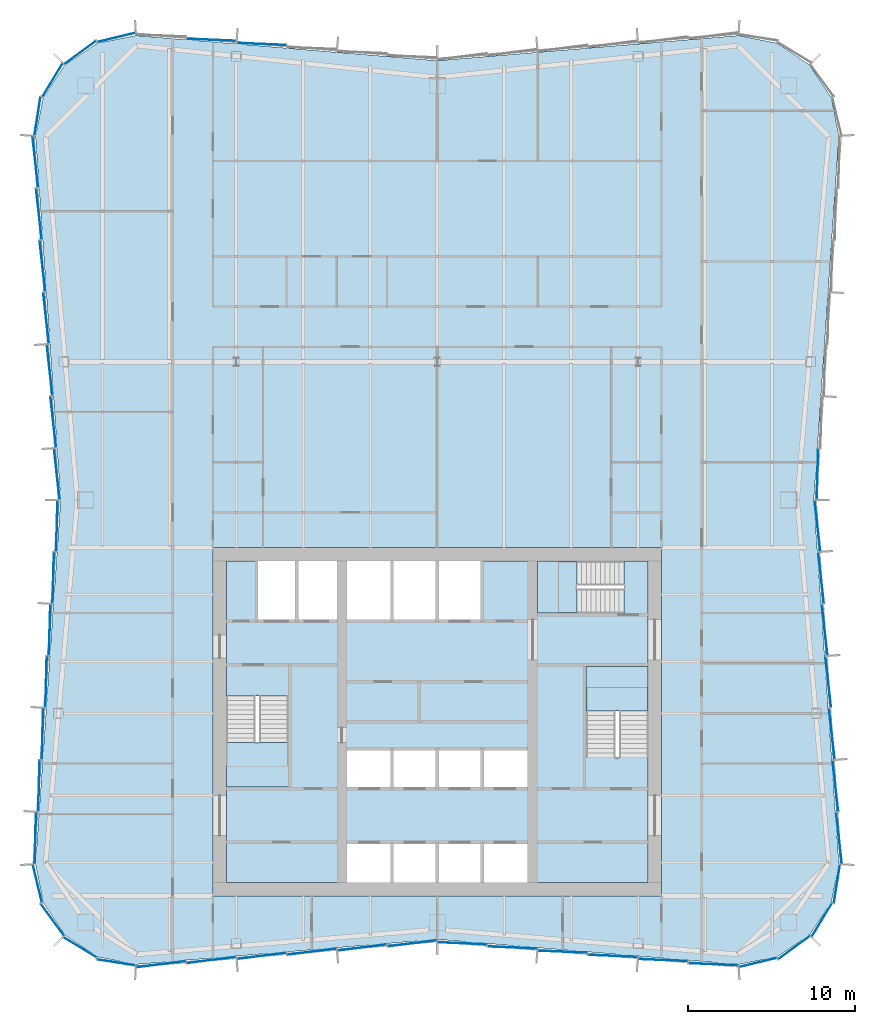
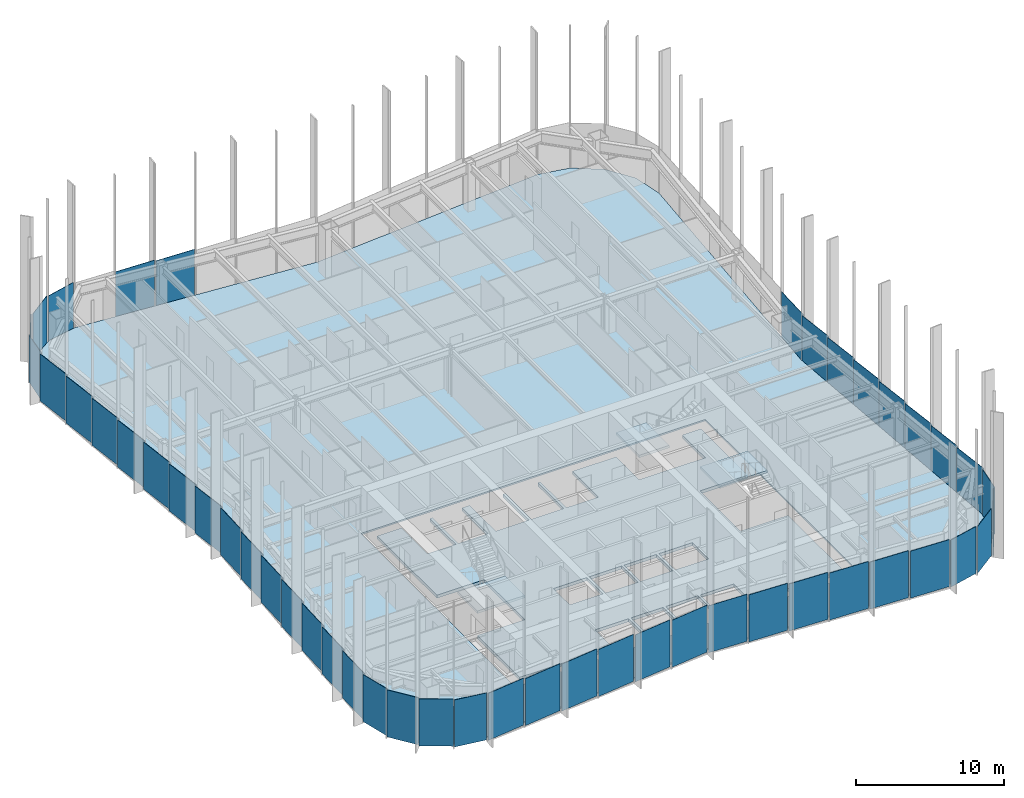
# One storey, part 9 of 15: 48 plates, 5 slabs, 10 elements without a shape of their own.
"""IFC4 building model written with IfcOpenShell, lengths in metres."""

from ifc_helpers import new_model, si_unit, direction, frame, origin, origin_2d, place, context, subcontext, project, spatial, polyline, rectangle, outline, extrude, material, layer, layer_set, type_object, element, aggregate, save


model = new_model("IFC4")

# Units and contexts
model_context = context("Model", 3, precision=1e-05, world=origin(), true_north=direction((0.0, 1.0)))
body_context = subcontext(model_context, "Body", "Model", "MODEL_VIEW")
ifc_project = project(units=[si_unit("LENGTHUNIT", "METRE"), si_unit("AREAUNIT", "SQUARE_METRE"), si_unit("VOLUMEUNIT", "CUBIC_METRE"), si_unit("PLANEANGLEUNIT", "RADIAN"), si_unit("MASSUNIT", "GRAM", prefix="KILO")], contexts=[model_context])

# Site, building, storey
site_placement = place(None, origin())
site = spatial("IfcSite", under=ifc_project, at=site_placement, CompositionType="ELEMENT")
building_placement = place(site_placement, origin())
building = spatial("IfcBuilding", under=site, at=building_placement, Name="Verdant Reach Tower", CompositionType="ELEMENT")
storey_placement = place(building_placement, frame((0.0, 0.0, 238.0)))
storey = spatial("IfcBuildingStorey", under=building, at=storey_placement, Name="L54", CompositionType="ELEMENT", Elevation=238.0)

# Stair, slab
ifc_material_1 = material(Name="Concrete C40/50", Category="concrete")
stair_type = type_object("IfcStairType", Name="CO-STAIR", PredefinedType="HALF_TURN_STAIR", material=ifc_material_1)
stair_1_placement = place(storey_placement, origin())
stair_1 = element("IfcStair", 1, at=stair_1_placement, inside=storey, type_object=stair_type, Name="L54 Exit stair 1", PredefinedType="HALF_TURN_STAIR")
ifc_layer_1 = layer(ifc_material_1, 0.199951171875)
ifc_layer_set_1 = layer_set([ifc_layer_1], Name="CO-STAIR-LANDING")
slab_type_1 = type_object("IfcSlabType", Name="CO-STAIR-LANDING", PredefinedType="LANDING", material=ifc_layer_set_1)
slab_1_placement = place(storey_placement, frame((0.0, 0.0, 1.800048828125)))
slab_1 = element("IfcSlab", 2, at=slab_1_placement, type_object=slab_type_1, Name="ST-1 landing 1", PredefinedType="LANDING", context=body_context, shape_type="SweptSolid", body=[
    extrude(outline(polyline([(-12.60009765625, 26.75), (-12.60009765625, 24.10009765625), (-8.89990234375, 24.10009765625), (-8.89990234375, 26.75), (-12.60009765625, 26.75)])), origin(), (0.0, 0.0, 1.0), 0.199951171875),
])
aggregate(stair_1, [slab_1])

stair_2_placement = place(storey_placement, origin())
stair_2 = element("IfcStair", 3, at=stair_2_placement, inside=storey, type_object=stair_type, Name="L54 Exit stair 2", PredefinedType="HALF_TURN_STAIR")
slab_2_placement = place(storey_placement, frame((0.0, 0.0, 1.800048828125)))
slab_2 = element("IfcSlab", 4, at=slab_2_placement, type_object=slab_type_1, Name="ST-2 landing 1", PredefinedType="LANDING", context=body_context, shape_type="SweptSolid", body=[
    extrude(outline(polyline([(12.60009765625, 28.64990234375), (12.60009765625, 31.300048828125), (8.89990234375, 31.300048828125), (8.89990234375, 28.64990234375), (12.60009765625, 28.64990234375)])), origin(), (0.0, 0.0, 1.0), 0.199951171875),
])
aggregate(stair_2, [slab_2])

stair_3_placement = place(storey_placement, origin())
stair_3 = element("IfcStair", 5, at=stair_3_placement, inside=storey, type_object=stair_type, Name="L54 Exit stair 3", PredefinedType="HALF_TURN_STAIR")
slab_3_placement = place(storey_placement, frame((0.0, 0.0, 1.800048828125)))
slab_3 = element("IfcSlab", 6, at=slab_3_placement, type_object=slab_type_1, Name="ST-3 landing 1", PredefinedType="LANDING", context=body_context, shape_type="SweptSolid", body=[
    extrude(outline(polyline([(8.35009765625, 37.60009765625), (6.0, 37.60009765625), (6.0, 34.5), (8.35009765625, 34.5), (8.35009765625, 37.60009765625)])), origin(), (0.0, 0.0, 1.0), 0.199951171875),
])
aggregate(stair_3, [slab_3])

# Curtain wall, plates
ifc_material_2 = material(Name="Anodised aluminium", Category="aluminium")
curtain_wall_type = type_object("IfcCurtainWallType", Name="EN-CW SYSTEM Z4", PredefinedType="NOTDEFINED", material=ifc_material_2)
curtain_wall_1_placement = place(storey_placement, origin())
curtain_wall_1 = element("IfcCurtainWall", 7, at=curtain_wall_1_placement, inside=storey, type_object=curtain_wall_type, Name="Curtain wall east, L54", PredefinedType="NOTDEFINED")
ifc_material_3 = material(Name="Tinted glass with champagne spandrel", Category="glass")
ifc_layer_2 = layer(ifc_material_3, 0.031982421875)
ifc_layer_set_2 = layer_set([ifc_layer_2], Name="EN-PANEL CHAMPAGNE")
plate_type_1 = type_object("IfcPlateType", Name="EN-PANEL CHAMPAGNE", PredefinedType="CURTAIN_PANEL", material=ifc_layer_set_2)
plate_1_placement = place(storey_placement, frame((23.36181640625, 30.3828125, -0.221923828125), z_axis=(0.0, 0.0, 1.0), x_axis=(-0.110518162674, 0.993874104562, 0.0)))
plate_1 = element("IfcPlate", 8, at=plate_1_placement, type_object=plate_type_1, Name="Glass panel east face part 1 4.1, L54", PredefinedType="CURTAIN_PANEL", context=body_context, shape_type="SweptSolid", body=[
    extrude(rectangle(XDim=3.050537109375, YDim=0.031982421875, at=origin_2d()), origin(), (0.0, 0.0, 1.0), 3.8720703125),
])
plate_2_placement = place(storey_placement, frame((23.1474609375, 33.48974609375, -0.221923828125), z_axis=(0.0, 0.0, 1.0), x_axis=(-0.110518162674, 0.993874104562, 0.0)))
plate_2 = element("IfcPlate", 9, at=plate_2_placement, type_object=plate_type_1, Name="Glass panel east face part 1 5.1, L54", PredefinedType="CURTAIN_PANEL", context=body_context, shape_type="SweptSolid", body=[
    extrude(rectangle(XDim=3.050537109375, YDim=0.031982421875, at=origin_2d()), origin(), (0.0, 0.0, 1.0), 3.8720703125),
])

curtain_wall_2_placement = place(storey_placement, origin())
curtain_wall_2 = element("IfcCurtainWall", 10, at=curtain_wall_2_placement, inside=storey, type_object=curtain_wall_type, Name="Curtain wall north, L54", PredefinedType="NOTDEFINED")
plate_3_placement = place(storey_placement, frame((-10.49072265625, 68.486572265625, -0.221923828125), z_axis=(0.0, 0.0, 1.0), x_axis=(-0.999149202059, 0.041241629766, 0.0)))
plate_3 = element("IfcPlate", 11, at=plate_3_placement, type_object=plate_type_1, Name="Glass panel north face part 2 4.1, L54", PredefinedType="CURTAIN_PANEL", context=body_context, shape_type="SweptSolid", body=[
    extrude(rectangle(XDim=2.9462890625, YDim=0.031982421875, at=origin_2d()), origin(), (0.0, 0.0, 1.0), 3.8720703125),
])
plate_4_placement = place(storey_placement, frame((-13.49072265625, 68.736572265625, -0.221923828125), z_axis=(0.0, 0.0, 1.0), x_axis=(-0.999149202059, 0.041241629766, 0.0)))
plate_4 = element("IfcPlate", 12, at=plate_4_placement, type_object=plate_type_1, Name="Glass panel north face part 2 5.1, L54", PredefinedType="CURTAIN_PANEL", context=body_context, shape_type="SweptSolid", body=[
    extrude(rectangle(XDim=2.9462890625, YDim=0.031982421875, at=origin_2d()), origin(), (0.0, 0.0, 1.0), 3.8720703125),
])
aggregate(curtain_wall_2, [plate_3, plate_4])

curtain_wall_3_placement = place(storey_placement, origin())
curtain_wall_3 = element("IfcCurtainWall", 13, at=curtain_wall_3_placement, inside=storey, type_object=curtain_wall_type, Name="Curtain wall north-west corner, L54", PredefinedType="NOTDEFINED")
plate_5_placement = place(storey_placement, frame((-21.330322265625, 67.984375, -0.221923828125), z_axis=(0.0, 0.0, 1.0), x_axis=(-0.80745677573, -0.589926737254, 0.0)))
plate_5 = element("IfcPlate", 14, at=plate_5_placement, type_object=plate_type_1, Name="Glass panel north-west corner 2.1, L54", PredefinedType="CURTAIN_PANEL", context=body_context, shape_type="SweptSolid", body=[
    extrude(rectangle(XDim=2.32080078125, YDim=0.031982421875, at=origin_2d()), origin(), (0.0, 0.0, 1.0), 3.8720703125),
])
plate_6_placement = place(storey_placement, frame((-22.984375, 66.330322265625, -0.221923828125), z_axis=(0.0, 0.0, 1.0), x_axis=(-0.520291539577, -0.853988708265, 0.0)))
plate_6 = element("IfcPlate", 15, at=plate_6_placement, type_object=plate_type_1, Name="Glass panel north-west corner 3.1, L54", PredefinedType="CURTAIN_PANEL", context=body_context, shape_type="SweptSolid", body=[
    extrude(rectangle(XDim=2.32080078125, YDim=0.031982421875, at=origin_2d()), origin(), (0.0, 0.0, 1.0), 3.8720703125),
])

curtain_wall_4_placement = place(storey_placement, origin())
curtain_wall_4 = element("IfcCurtainWall", 16, at=curtain_wall_4_placement, inside=storey, type_object=curtain_wall_type, Name="Curtain wall west, L54", PredefinedType="NOTDEFINED")
plate_7_placement = place(storey_placement, frame((-24.004638671875, 61.446044921875, -0.221923828125), z_axis=(0.0, 0.0, 1.0), x_axis=(0.110205903836, -0.993908777886, 0.0)))
plate_7 = element("IfcPlate", 17, at=plate_7_placement, type_object=plate_type_1, Name="Glass panel west face part 1 1.1, L54", PredefinedType="CURTAIN_PANEL", context=body_context, shape_type="SweptSolid", body=[
    extrude(rectangle(XDim=3.0654296875, YDim=0.031982421875, at=origin_2d()), origin(), (0.0, 0.0, 1.0), 3.8720703125),
])
plate_8_placement = place(storey_placement, frame((-23.790283203125, 58.33154296875, -0.221923828125), z_axis=(0.0, 0.0, 1.0), x_axis=(0.110518162674, -0.993874104562, 0.0)))
plate_8 = element("IfcPlate", 18, at=plate_8_placement, type_object=plate_type_1, Name="Glass panel west face part 1 2.1, L54", PredefinedType="CURTAIN_PANEL", context=body_context, shape_type="SweptSolid", body=[
    extrude(rectangle(XDim=3.050537109375, YDim=0.031982421875, at=origin_2d()), origin(), (0.0, 0.0, 1.0), 3.8720703125),
])
plate_9_placement = place(storey_placement, frame((-22.93310546875, 36.596923828125, -0.221923828125), z_axis=(0.0, 0.0, 1.0), x_axis=(-0.026965318308, -0.999636369691, 0.0)))
plate_9 = element("IfcPlate", 19, at=plate_9_placement, type_object=plate_type_1, Name="Glass panel west face part 2 2.1, L54", PredefinedType="CURTAIN_PANEL", context=body_context, shape_type="SweptSolid", body=[
    extrude(rectangle(XDim=3.050537109375, YDim=0.031982421875, at=origin_2d()), origin(), (0.0, 0.0, 1.0), 3.8720703125),
])
plate_10_placement = place(storey_placement, frame((-23.1474609375, 33.48974609375, -0.221923828125), z_axis=(0.0, 0.0, 1.0), x_axis=(-0.026965318308, -0.999636369691, 0.0)))
plate_10 = element("IfcPlate", 20, at=plate_10_placement, type_object=plate_type_1, Name="Glass panel west face part 2 3.1, L54", PredefinedType="CURTAIN_PANEL", context=body_context, shape_type="SweptSolid", body=[
    extrude(rectangle(XDim=3.050537109375, YDim=0.031982421875, at=origin_2d()), origin(), (0.0, 0.0, 1.0), 3.8720703125),
])

curtain_wall_5_placement = place(storey_placement, origin())
curtain_wall_5 = element("IfcCurtainWall", 21, at=curtain_wall_5_placement, inside=storey, type_object=curtain_wall_type, Name="Curtain wall south-west corner, L54", PredefinedType="NOTDEFINED")
plate_11_placement = place(storey_placement, frame((-23.87939453125, 18.326904296875, -0.221923828125), z_axis=(0.0, 0.0, 1.0), x_axis=(0.236458850433, -0.971641503875, 0.0)))
plate_11 = element("IfcPlate", 22, at=plate_11_placement, type_object=plate_type_1, Name="Glass panel south-west corner 1.1, L54", PredefinedType="CURTAIN_PANEL", context=body_context, shape_type="SweptSolid", body=[
    extrude(rectangle(XDim=2.313720703125, YDim=0.031982421875, at=origin_2d()), origin(), (0.0, 0.0, 1.0), 3.8720703125),
])
plate_12_placement = place(storey_placement, frame((-22.984375, 16.169677734375, -0.221923828125), z_axis=(0.0, 0.0, 1.0), x_axis=(0.589926737254, -0.80745677573, 0.0)))
plate_12 = element("IfcPlate", 23, at=plate_12_placement, type_object=plate_type_1, Name="Glass panel south-west corner 2.1, L54", PredefinedType="CURTAIN_PANEL", context=body_context, shape_type="SweptSolid", body=[
    extrude(rectangle(XDim=2.32080078125, YDim=0.031982421875, at=origin_2d()), origin(), (0.0, 0.0, 1.0), 3.8720703125),
])

curtain_wall_6_placement = place(storey_placement, origin())
curtain_wall_6 = element("IfcCurtainWall", 24, at=curtain_wall_6_placement, inside=storey, type_object=curtain_wall_type, Name="Curtain wall south, L54", PredefinedType="NOTDEFINED")
plate_13_placement = place(storey_placement, frame((-4.49072265625, 14.513427734375, -0.221923828125), z_axis=(0.0, 0.0, 1.0), x_axis=(0.992194034542, 0.124703639961, 0.0)))
plate_13 = element("IfcPlate", 25, at=plate_13_placement, type_object=plate_type_1, Name="Glass panel south face part 1 5.1, L54", PredefinedType="CURTAIN_PANEL", context=body_context, shape_type="SweptSolid", body=[
    extrude(rectangle(XDim=2.9462890625, YDim=0.031982421875, at=origin_2d()), origin(), (0.0, 0.0, 1.0), 3.8720703125),
])
plate_14_placement = place(storey_placement, frame((-1.495361328125, 14.76318359375, -0.221923828125), z_axis=(0.0, 0.0, 1.0), x_axis=(0.992177950603, 0.124831543836, 0.0)))
plate_14 = element("IfcPlate", 26, at=plate_14_placement, type_object=plate_type_1, Name="Glass panel south face part 1 6.1, L54", PredefinedType="CURTAIN_PANEL", context=body_context, shape_type="SweptSolid", body=[
    extrude(rectangle(XDim=2.93701171875, YDim=0.031982421875, at=origin_2d()), origin(), (0.0, 0.0, 1.0), 3.8720703125),
])
plate_15_placement = place(storey_placement, frame((1.495361328125, 14.76318359375, -0.221923828125), z_axis=(0.0, 0.0, 1.0), x_axis=(0.999143877249, -0.041370430933, 0.0)))
plate_15 = element("IfcPlate", 27, at=plate_15_placement, type_object=plate_type_1, Name="Glass panel south face part 2 1.1, L54", PredefinedType="CURTAIN_PANEL", context=body_context, shape_type="SweptSolid", body=[
    extrude(rectangle(XDim=2.93701171875, YDim=0.031982421875, at=origin_2d()), origin(), (0.0, 0.0, 1.0), 3.8720703125),
])

curtain_wall_7_placement = place(storey_placement, origin())
curtain_wall_7 = element("IfcCurtainWall", 28, at=curtain_wall_7_placement, inside=storey, type_object=curtain_wall_type, Name="Curtain wall south-east corner, L54", PredefinedType="NOTDEFINED")
ifc_material_4 = material(Name="Tinted glass with copper spandrel", Category="glass")
ifc_layer_3 = layer(ifc_material_4, 0.031982421875)
ifc_layer_set_3 = layer_set([ifc_layer_3], Name="EN-PANEL COPPER")
plate_type_2 = type_object("IfcPlateType", Name="EN-PANEL COPPER", PredefinedType="CURTAIN_PANEL", material=ifc_layer_set_3)
plate_16_placement = place(storey_placement, frame((19.172607421875, 13.62060546875, -0.221923828125), z_axis=(0.0, 0.0, 1.0), x_axis=(0.971652337104, 0.236414330786, 0.0)))
plate_16 = element("IfcPlate", 29, at=plate_16_placement, type_object=plate_type_2, Name="Glass panel south-east corner 1.1, L54", PredefinedType="CURTAIN_PANEL", context=body_context, shape_type="SweptSolid", body=[
    extrude(rectangle(XDim=2.314453125, YDim=0.031982421875, at=origin_2d()), origin(), (0.0, 0.0, 1.0), 3.8720703125),
])
plate_17_placement = place(storey_placement, frame((21.330322265625, 14.515625, -0.221923828125), z_axis=(0.0, 0.0, 1.0), x_axis=(0.80745677573, 0.589926737254, 0.0)))
plate_17 = element("IfcPlate", 30, at=plate_17_placement, type_object=plate_type_2, Name="Glass panel south-east corner 2.1, L54", PredefinedType="CURTAIN_PANEL", context=body_context, shape_type="SweptSolid", body=[
    extrude(rectangle(XDim=2.32080078125, YDim=0.031982421875, at=origin_2d()), origin(), (0.0, 0.0, 1.0), 3.8720703125),
])

# Plate
plate_18_placement = place(storey_placement, frame((22.93310546875, 36.596923828125, -0.221923828125), z_axis=(0.0, 0.0, 1.0), x_axis=(-0.110518162674, 0.993874104562, 0.0)))
plate_18 = element("IfcPlate", 31, at=plate_18_placement, type_object=plate_type_2, Name="Glass panel east face part 1 6.1, L54", PredefinedType="CURTAIN_PANEL", context=body_context, shape_type="SweptSolid", body=[
    extrude(rectangle(XDim=3.050537109375, YDim=0.031982421875, at=origin_2d()), origin(), (0.0, 0.0, 1.0), 3.8720703125),
])

plate_19_placement = place(storey_placement, frame((22.718994140625, 39.7001953125, -0.221923828125), z_axis=(0.0, 0.0, 1.0), x_axis=(-0.110603065042, 0.993864659802, 0.0)))
plate_19 = element("IfcPlate", 32, at=plate_19_placement, type_object=plate_type_2, Name="Glass panel east face part 1 7.1, L54", PredefinedType="CURTAIN_PANEL", context=body_context, shape_type="SweptSolid", body=[
    extrude(rectangle(XDim=3.042724609375, YDim=0.031982421875, at=origin_2d()), origin(), (0.0, 0.0, 1.0), 3.8720703125),
])

plate_20_placement = place(storey_placement, frame((22.718994140625, 42.7998046875, -0.221923828125), z_axis=(0.0, 0.0, 1.0), x_axis=(0.027050713229, 0.999634062502, 0.0)))
plate_20 = element("IfcPlate", 33, at=plate_20_placement, type_object=plate_type_2, Name="Glass panel east face part 2 1.1, L54", PredefinedType="CURTAIN_PANEL", context=body_context, shape_type="SweptSolid", body=[
    extrude(rectangle(XDim=3.042724609375, YDim=0.031982421875, at=origin_2d()), origin(), (0.0, 0.0, 1.0), 3.8720703125),
])

plate_21_placement = place(storey_placement, frame((-23.87939453125, 64.173095703125, -0.221923828125), z_axis=(0.0, 0.0, 1.0), x_axis=(-0.154324690427, -0.988020187003, 0.0)))
plate_21 = element("IfcPlate", 34, at=plate_21_placement, type_object=plate_type_2, Name="Glass panel north-west corner 4.1, L54", PredefinedType="CURTAIN_PANEL", context=body_context, shape_type="SweptSolid", body=[
    extrude(rectangle(XDim=2.313720703125, YDim=0.031982421875, at=origin_2d()), origin(), (0.0, 0.0, 1.0), 3.8720703125),
])

plate_22_placement = place(storey_placement, frame((-23.575927734375, 55.224365234375, -0.221923828125), z_axis=(0.0, 0.0, 1.0), x_axis=(0.110518162674, -0.993874104562, 0.0)))
plate_22 = element("IfcPlate", 35, at=plate_22_placement, type_object=plate_type_2, Name="Glass panel west face part 1 3.1, L54", PredefinedType="CURTAIN_PANEL", context=body_context, shape_type="SweptSolid", body=[
    extrude(rectangle(XDim=3.050537109375, YDim=0.031982421875, at=origin_2d()), origin(), (0.0, 0.0, 1.0), 3.8720703125),
])

plate_23_placement = place(storey_placement, frame((-23.36181640625, 52.1171875, -0.221923828125), z_axis=(0.0, 0.0, 1.0), x_axis=(0.110518162674, -0.993874104562, 0.0)))
plate_23 = element("IfcPlate", 36, at=plate_23_placement, type_object=plate_type_2, Name="Glass panel west face part 1 4.1, L54", PredefinedType="CURTAIN_PANEL", context=body_context, shape_type="SweptSolid", body=[
    extrude(rectangle(XDim=3.050537109375, YDim=0.031982421875, at=origin_2d()), origin(), (0.0, 0.0, 1.0), 3.8720703125),
])

plate_24_placement = place(storey_placement, frame((-23.36181640625, 30.3828125, -0.221923828125), z_axis=(0.0, 0.0, 1.0), x_axis=(-0.026965318308, -0.999636369691, 0.0)))
plate_24 = element("IfcPlate", 37, at=plate_24_placement, type_object=plate_type_2, Name="Glass panel west face part 2 4.1, L54", PredefinedType="CURTAIN_PANEL", context=body_context, shape_type="SweptSolid", body=[
    extrude(rectangle(XDim=3.050537109375, YDim=0.031982421875, at=origin_2d()), origin(), (0.0, 0.0, 1.0), 3.8720703125),
])

plate_25_placement = place(storey_placement, frame((-23.575927734375, 27.275634765625, -0.221923828125), z_axis=(0.0, 0.0, 1.0), x_axis=(-0.026965318308, -0.999636369691, 0.0)))
plate_25 = element("IfcPlate", 38, at=plate_25_placement, type_object=plate_type_2, Name="Glass panel west face part 2 5.1, L54", PredefinedType="CURTAIN_PANEL", context=body_context, shape_type="SweptSolid", body=[
    extrude(rectangle(XDim=3.050537109375, YDim=0.031982421875, at=origin_2d()), origin(), (0.0, 0.0, 1.0), 3.8720703125),
])

plate_26_placement = place(storey_placement, frame((-23.790283203125, 24.16845703125, -0.221923828125), z_axis=(0.0, 0.0, 1.0), x_axis=(-0.026965318308, -0.999636369691, 0.0)))
plate_26 = element("IfcPlate", 39, at=plate_26_placement, type_object=plate_type_2, Name="Glass panel west face part 2 6.1, L54", PredefinedType="CURTAIN_PANEL", context=body_context, shape_type="SweptSolid", body=[
    extrude(rectangle(XDim=3.050537109375, YDim=0.031982421875, at=origin_2d()), origin(), (0.0, 0.0, 1.0), 3.8720703125),
])

plate_27_placement = place(storey_placement, frame((-21.330322265625, 14.515625, -0.221923828125), z_axis=(0.0, 0.0, 1.0), x_axis=(0.853988708265, -0.520291539577, 0.0)))
plate_27 = element("IfcPlate", 40, at=plate_27_placement, type_object=plate_type_2, Name="Glass panel south-west corner 3.1, L54", PredefinedType="CURTAIN_PANEL", context=body_context, shape_type="SweptSolid", body=[
    extrude(rectangle(XDim=2.32080078125, YDim=0.031982421875, at=origin_2d()), origin(), (0.0, 0.0, 1.0), 3.8720703125),
])

plate_28_placement = place(storey_placement, frame((-19.172607421875, 13.62060546875, -0.221923828125), z_axis=(0.0, 0.0, 1.0), x_axis=(0.98802725693, -0.154279420415, 0.0)))
plate_28 = element("IfcPlate", 41, at=plate_28_placement, type_object=plate_type_2, Name="Glass panel south-west corner 4.1, L54", PredefinedType="CURTAIN_PANEL", context=body_context, shape_type="SweptSolid", body=[
    extrude(rectangle(XDim=2.314453125, YDim=0.031982421875, at=origin_2d()), origin(), (0.0, 0.0, 1.0), 3.8720703125),
])

aggregate(curtain_wall_5, [plate_11, plate_12, plate_27, plate_28])

plate_29_placement = place(storey_placement, frame((-16.49853515625, 13.51318359375, -0.221923828125), z_axis=(0.0, 0.0, 1.0), x_axis=(0.992238962139, 0.124345655383, 0.0)))
plate_29 = element("IfcPlate", 42, at=plate_29_placement, type_object=plate_type_2, Name="Glass panel south face part 1 1.1, L54", PredefinedType="CURTAIN_PANEL", context=body_context, shape_type="SweptSolid", body=[
    extrude(rectangle(XDim=2.9619140625, YDim=0.031982421875, at=origin_2d()), origin(), (0.0, 0.0, 1.0), 3.8720703125),
])

plate_30_placement = place(storey_placement, frame((-13.49072265625, 13.763427734375, -0.221923828125), z_axis=(0.0, 0.0, 1.0), x_axis=(0.992194034542, 0.124703639961, 0.0)))
plate_30 = element("IfcPlate", 43, at=plate_30_placement, type_object=plate_type_2, Name="Glass panel south face part 1 2.1, L54", PredefinedType="CURTAIN_PANEL", context=body_context, shape_type="SweptSolid", body=[
    extrude(rectangle(XDim=2.9462890625, YDim=0.031982421875, at=origin_2d()), origin(), (0.0, 0.0, 1.0), 3.8720703125),
])

plate_31_placement = place(storey_placement, frame((4.49072265625, 14.513427734375, -0.221923828125), z_axis=(0.0, 0.0, 1.0), x_axis=(0.999149202059, -0.041241629766, 0.0)))
plate_31 = element("IfcPlate", 44, at=plate_31_placement, type_object=plate_type_2, Name="Glass panel south face part 2 2.1, L54", PredefinedType="CURTAIN_PANEL", context=body_context, shape_type="SweptSolid", body=[
    extrude(rectangle(XDim=2.9462890625, YDim=0.031982421875, at=origin_2d()), origin(), (0.0, 0.0, 1.0), 3.8720703125),
])

plate_32_placement = place(storey_placement, frame((7.49072265625, 14.263427734375, -0.221923828125), z_axis=(0.0, 0.0, 1.0), x_axis=(0.999149202059, -0.041241629766, 0.0)))
plate_32 = element("IfcPlate", 45, at=plate_32_placement, type_object=plate_type_2, Name="Glass panel south face part 2 3.1, L54", PredefinedType="CURTAIN_PANEL", context=body_context, shape_type="SweptSolid", body=[
    extrude(rectangle(XDim=2.9462890625, YDim=0.031982421875, at=origin_2d()), origin(), (0.0, 0.0, 1.0), 3.8720703125),
])

ifc_material_5 = material(Name="Tinted glass with dark bronze spandrel", Category="glass")
ifc_layer_4 = layer(ifc_material_5, 0.031982421875)
ifc_layer_set_4 = layer_set([ifc_layer_4], Name="EN-PANEL DARK")
plate_type_3 = type_object("IfcPlateType", Name="EN-PANEL DARK", PredefinedType="CURTAIN_PANEL", material=ifc_layer_set_4)
plate_33_placement = place(storey_placement, frame((22.984375, 16.169677734375, -0.221923828125), z_axis=(0.0, 0.0, 1.0), x_axis=(0.520291539577, 0.853988708265, 0.0)))
plate_33 = element("IfcPlate", 46, at=plate_33_placement, type_object=plate_type_3, Name="Glass panel south-east corner 3.1, L54", PredefinedType="CURTAIN_PANEL", context=body_context, shape_type="SweptSolid", body=[
    extrude(rectangle(XDim=2.32080078125, YDim=0.031982421875, at=origin_2d()), origin(), (0.0, 0.0, 1.0), 3.8720703125),
])

plate_34_placement = place(storey_placement, frame((23.87939453125, 18.326904296875, -0.221923828125), z_axis=(0.0, 0.0, 1.0), x_axis=(0.154324690427, 0.988020187003, 0.0)))
plate_34 = element("IfcPlate", 47, at=plate_34_placement, type_object=plate_type_3, Name="Glass panel south-east corner 4.1, L54", PredefinedType="CURTAIN_PANEL", context=body_context, shape_type="SweptSolid", body=[
    extrude(rectangle(XDim=2.313720703125, YDim=0.031982421875, at=origin_2d()), origin(), (0.0, 0.0, 1.0), 3.8720703125),
])

aggregate(curtain_wall_7, [plate_16, plate_17, plate_33, plate_34])

plate_35_placement = place(storey_placement, frame((24.004638671875, 21.053955078125, -0.221923828125), z_axis=(0.0, 0.0, 1.0), x_axis=(-0.110205903836, 0.993908777886, 0.0)))
plate_35 = element("IfcPlate", 48, at=plate_35_placement, type_object=plate_type_3, Name="Glass panel east face part 1 1.1, L54", PredefinedType="CURTAIN_PANEL", context=body_context, shape_type="SweptSolid", body=[
    extrude(rectangle(XDim=3.0654296875, YDim=0.031982421875, at=origin_2d()), origin(), (0.0, 0.0, 1.0), 3.8720703125),
])

plate_36_placement = place(storey_placement, frame((23.790283203125, 24.16845703125, -0.221923828125), z_axis=(0.0, 0.0, 1.0), x_axis=(-0.110518162674, 0.993874104562, 0.0)))
plate_36 = element("IfcPlate", 49, at=plate_36_placement, type_object=plate_type_3, Name="Glass panel east face part 1 2.1, L54", PredefinedType="CURTAIN_PANEL", context=body_context, shape_type="SweptSolid", body=[
    extrude(rectangle(XDim=3.050537109375, YDim=0.031982421875, at=origin_2d()), origin(), (0.0, 0.0, 1.0), 3.8720703125),
])

plate_37_placement = place(storey_placement, frame((23.575927734375, 27.275634765625, -0.221923828125), z_axis=(0.0, 0.0, 1.0), x_axis=(-0.110518162674, 0.993874104562, 0.0)))
plate_37 = element("IfcPlate", 50, at=plate_37_placement, type_object=plate_type_3, Name="Glass panel east face part 1 3.1, L54", PredefinedType="CURTAIN_PANEL", context=body_context, shape_type="SweptSolid", body=[
    extrude(rectangle(XDim=3.050537109375, YDim=0.031982421875, at=origin_2d()), origin(), (0.0, 0.0, 1.0), 3.8720703125),
])

aggregate(curtain_wall_1, [plate_35, plate_36, plate_37, plate_1, plate_2, plate_18, plate_19, plate_20])

plate_38_placement = place(storey_placement, frame((-19.172607421875, 68.87939453125, -0.221923828125), z_axis=(0.0, 0.0, 1.0), x_axis=(-0.971652337104, -0.236414330786, 0.0)))
plate_38 = element("IfcPlate", 51, at=plate_38_placement, type_object=plate_type_3, Name="Glass panel north-west corner 1.1, L54", PredefinedType="CURTAIN_PANEL", context=body_context, shape_type="SweptSolid", body=[
    extrude(rectangle(XDim=2.314453125, YDim=0.031982421875, at=origin_2d()), origin(), (0.0, 0.0, 1.0), 3.8720703125),
])

aggregate(curtain_wall_3, [plate_38, plate_5, plate_6, plate_21])

plate_39_placement = place(storey_placement, frame((-23.1474609375, 49.01025390625, -0.221923828125), z_axis=(0.0, 0.0, 1.0), x_axis=(0.110518162674, -0.993874104562, 0.0)))
plate_39 = element("IfcPlate", 52, at=plate_39_placement, type_object=plate_type_3, Name="Glass panel west face part 1 5.1, L54", PredefinedType="CURTAIN_PANEL", context=body_context, shape_type="SweptSolid", body=[
    extrude(rectangle(XDim=3.050537109375, YDim=0.031982421875, at=origin_2d()), origin(), (0.0, 0.0, 1.0), 3.8720703125),
])

plate_40_placement = place(storey_placement, frame((-22.93310546875, 45.903076171875, -0.221923828125), z_axis=(0.0, 0.0, 1.0), x_axis=(0.110518162674, -0.993874104562, 0.0)))
plate_40 = element("IfcPlate", 53, at=plate_40_placement, type_object=plate_type_3, Name="Glass panel west face part 1 6.1, L54", PredefinedType="CURTAIN_PANEL", context=body_context, shape_type="SweptSolid", body=[
    extrude(rectangle(XDim=3.050537109375, YDim=0.031982421875, at=origin_2d()), origin(), (0.0, 0.0, 1.0), 3.8720703125),
])

plate_41_placement = place(storey_placement, frame((-22.718994140625, 42.7998046875, -0.221923828125), z_axis=(0.0, 0.0, 1.0), x_axis=(0.110603065042, -0.993864659802, 0.0)))
plate_41 = element("IfcPlate", 54, at=plate_41_placement, type_object=plate_type_3, Name="Glass panel west face part 1 7.1, L54", PredefinedType="CURTAIN_PANEL", context=body_context, shape_type="SweptSolid", body=[
    extrude(rectangle(XDim=3.042724609375, YDim=0.031982421875, at=origin_2d()), origin(), (0.0, 0.0, 1.0), 3.8720703125),
])

plate_42_placement = place(storey_placement, frame((-22.718994140625, 39.7001953125, -0.221923828125), z_axis=(0.0, 0.0, 1.0), x_axis=(-0.027050713229, -0.999634062502, 0.0)))
plate_42 = element("IfcPlate", 55, at=plate_42_placement, type_object=plate_type_3, Name="Glass panel west face part 2 1.1, L54", PredefinedType="CURTAIN_PANEL", context=body_context, shape_type="SweptSolid", body=[
    extrude(rectangle(XDim=3.042724609375, YDim=0.031982421875, at=origin_2d()), origin(), (0.0, 0.0, 1.0), 3.8720703125),
])

plate_43_placement = place(storey_placement, frame((-24.004638671875, 21.053955078125, -0.221923828125), z_axis=(0.0, 0.0, 1.0), x_axis=(-0.026651253217, -0.999644792265, 0.0)))
plate_43 = element("IfcPlate", 56, at=plate_43_placement, type_object=plate_type_3, Name="Glass panel west face part 2 7.1, L54", PredefinedType="CURTAIN_PANEL", context=body_context, shape_type="SweptSolid", body=[
    extrude(rectangle(XDim=3.0654296875, YDim=0.031982421875, at=origin_2d()), origin(), (0.0, 0.0, 1.0), 3.8720703125),
])

aggregate(curtain_wall_4, [plate_7, plate_8, plate_22, plate_23, plate_39, plate_40, plate_41, plate_42, plate_9, plate_10, plate_24, plate_25, plate_26, plate_43])

plate_44_placement = place(storey_placement, frame((-10.49072265625, 14.013427734375, -0.221923828125), z_axis=(0.0, 0.0, 1.0), x_axis=(0.992194034542, 0.124703639961, 0.0)))
plate_44 = element("IfcPlate", 57, at=plate_44_placement, type_object=plate_type_3, Name="Glass panel south face part 1 3.1, L54", PredefinedType="CURTAIN_PANEL", context=body_context, shape_type="SweptSolid", body=[
    extrude(rectangle(XDim=2.9462890625, YDim=0.031982421875, at=origin_2d()), origin(), (0.0, 0.0, 1.0), 3.8720703125),
])

plate_45_placement = place(storey_placement, frame((-7.49072265625, 14.263427734375, -0.221923828125), z_axis=(0.0, 0.0, 1.0), x_axis=(0.992194034542, 0.124703639961, 0.0)))
plate_45 = element("IfcPlate", 58, at=plate_45_placement, type_object=plate_type_3, Name="Glass panel south face part 1 4.1, L54", PredefinedType="CURTAIN_PANEL", context=body_context, shape_type="SweptSolid", body=[
    extrude(rectangle(XDim=2.9462890625, YDim=0.031982421875, at=origin_2d()), origin(), (0.0, 0.0, 1.0), 3.8720703125),
])

plate_46_placement = place(storey_placement, frame((10.49072265625, 14.013427734375, -0.221923828125), z_axis=(0.0, 0.0, 1.0), x_axis=(0.999149202059, -0.041241629766, 0.0)))
plate_46 = element("IfcPlate", 59, at=plate_46_placement, type_object=plate_type_3, Name="Glass panel south face part 2 4.1, L54", PredefinedType="CURTAIN_PANEL", context=body_context, shape_type="SweptSolid", body=[
    extrude(rectangle(XDim=2.9462890625, YDim=0.031982421875, at=origin_2d()), origin(), (0.0, 0.0, 1.0), 3.8720703125),
])

plate_47_placement = place(storey_placement, frame((13.49072265625, 13.763427734375, -0.221923828125), z_axis=(0.0, 0.0, 1.0), x_axis=(0.999149202059, -0.041241629766, 0.0)))
plate_47 = element("IfcPlate", 60, at=plate_47_placement, type_object=plate_type_3, Name="Glass panel south face part 2 5.1, L54", PredefinedType="CURTAIN_PANEL", context=body_context, shape_type="SweptSolid", body=[
    extrude(rectangle(XDim=2.9462890625, YDim=0.031982421875, at=origin_2d()), origin(), (0.0, 0.0, 1.0), 3.8720703125),
])

plate_48_placement = place(storey_placement, frame((16.49853515625, 13.51318359375, -0.221923828125), z_axis=(0.0, 0.0, 1.0), x_axis=(0.999164016711, -0.040881141246, 0.0)))
plate_48 = element("IfcPlate", 61, at=plate_48_placement, type_object=plate_type_3, Name="Glass panel south face part 2 6.1, L54", PredefinedType="CURTAIN_PANEL", context=body_context, shape_type="SweptSolid", body=[
    extrude(rectangle(XDim=2.9619140625, YDim=0.031982421875, at=origin_2d()), origin(), (0.0, 0.0, 1.0), 3.8720703125),
])

aggregate(curtain_wall_6, [plate_29, plate_30, plate_44, plate_45, plate_13, plate_14, plate_15, plate_31, plate_32, plate_46, plate_47, plate_48])

# Slabs
ifc_material_6 = material(Name="Concrete C35/45", Category="concrete")
ifc_layer_5 = layer(ifc_material_6, 0.1298828125)
ifc_layer_set_5 = layer_set([ifc_layer_5], Name="ST-SLAB-130")
slab_type_2 = type_object("IfcSlabType", Name="ST-SLAB-130", PredefinedType="FLOOR", material=ifc_layer_set_5)
slab_4_placement = place(storey_placement, frame((0.0, 0.0, -0.1298828125)))
element("IfcSlab", 62, at=slab_4_placement, inside=storey, type_object=slab_type_2, Name="Floor slab L54", PredefinedType="FLOOR", context=body_context, shape_type="SweptSolid", body=[
    extrude(outline(polyline([(0.0, 15.0), (-18.0, 13.5), (-20.296142578125, 13.956787109375), (-22.24267578125, 15.25732421875), (-23.543212890625, 17.203857421875), (-24.0, 19.5), (-22.5, 41.25), (-24.0, 63.0), (-23.543212890625, 65.296142578125), (-22.24267578125, 67.24267578125), (-20.296142578125, 68.543212890625), (-18.0, 69.0), (0.0, 67.5), (18.0, 69.0), (20.296142578125, 68.543212890625), (22.24267578125, 67.24267578125), (23.543212890625, 65.296142578125), (24.0, 63.0), (22.5, 41.25), (24.0, 19.5), (23.543212890625, 17.203857421875), (22.24267578125, 15.25732421875), (20.296142578125, 13.956787109375), (18.0, 13.5), (0.0, 15.0)]), holes=[polyline([(13.39990234375, 38.39990234375), (-13.39990234375, 38.39990234375), (-13.39990234375, 17.60009765625), (13.39990234375, 17.60009765625), (13.39990234375, 38.39990234375)])]), origin(), (0.0, 0.0, 1.0), 0.1298828125),
])
ifc_layer_6 = layer(ifc_material_6, 0.25)
ifc_layer_set_6 = layer_set([ifc_layer_6], Name="ST-SLAB-250")
slab_type_3 = type_object("IfcSlabType", Name="ST-SLAB-250", PredefinedType="FLOOR", material=ifc_layer_set_6)
slab_5_placement = place(storey_placement, frame((0.0, 0.0, -0.25)))
element("IfcSlab", 63, at=slab_5_placement, inside=storey, type_object=slab_type_3, Name="Core floor slab L54", PredefinedType="FLOOR", context=body_context, shape_type="SweptSolid", body=[
    extrude(outline(polyline([(12.60009765625, 18.39990234375), (5.39990234375, 18.39990234375), (5.39990234375, 20.699951171875), (2.800048828125, 20.699951171875), (2.800048828125, 18.39990234375), (2.60009765625, 18.39990234375), (2.60009765625, 20.699951171875), (0.10009765625, 20.699951171875), (0.10009765625, 18.39990234375), (-0.10009765625, 18.39990234375), (-0.10009765625, 20.699951171875), (-2.60009765625, 20.699951171875), (-2.60009765625, 18.39990234375), (-2.800048828125, 18.39990234375), (-2.800048828125, 20.699951171875), (-5.39990234375, 20.699951171875), (-5.39990234375, 18.39990234375), (-12.60009765625, 18.39990234375), (-12.60009765625, 24.10009765625), (-8.89990234375, 24.10009765625), (-8.89990234375, 29.548095703125), (-12.60009765625, 29.548095703125), (-12.60009765625, 37.60009765625), (-10.699951171875, 37.60009765625), (-10.699951171875, 34.10009765625), (-8.5, 34.10009765625), (-8.5, 37.60009765625), (-8.300048828125, 37.60009765625), (-8.300048828125, 34.10009765625), (-6.0, 34.10009765625), (-6.0, 37.60009765625), (-5.39990234375, 37.60009765625), (-5.39990234375, 34.10009765625), (-2.800048828125, 34.10009765625), (-2.800048828125, 37.60009765625), (-2.60009765625, 37.60009765625), (-2.60009765625, 34.10009765625), (-0.10009765625, 34.10009765625), (-0.10009765625, 37.60009765625), (0.10009765625, 37.60009765625), (0.10009765625, 34.10009765625), (2.60009765625, 34.10009765625), (2.60009765625, 37.60009765625), (6.0, 37.60009765625), (6.0, 34.5), (11.14794921875, 34.5), (11.14794921875, 37.60009765625), (12.60009765625, 37.60009765625), (12.60009765625, 31.300048828125), (8.89990234375, 31.300048828125), (8.89990234375, 25.85205078125), (12.60009765625, 25.85205078125), (12.60009765625, 18.39990234375)]), holes=[polyline([(-2.800048828125, 24.10009765625), (-2.800048828125, 26.300048828125), (-5.39990234375, 26.300048828125), (-5.39990234375, 24.10009765625), (-2.800048828125, 24.10009765625)]), polyline([(-0.10009765625, 24.10009765625), (-0.10009765625, 26.300048828125), (-2.60009765625, 26.300048828125), (-2.60009765625, 24.10009765625), (-0.10009765625, 24.10009765625)]), polyline([(2.60009765625, 24.10009765625), (2.60009765625, 26.300048828125), (0.10009765625, 26.300048828125), (0.10009765625, 24.10009765625), (2.60009765625, 24.10009765625)]), polyline([(5.39990234375, 24.10009765625), (5.39990234375, 26.300048828125), (2.800048828125, 26.300048828125), (2.800048828125, 24.10009765625), (5.39990234375, 24.10009765625)])]), origin(), (0.0, 0.0, 1.0), 0.25),
])

save(model, "model.ifc")
